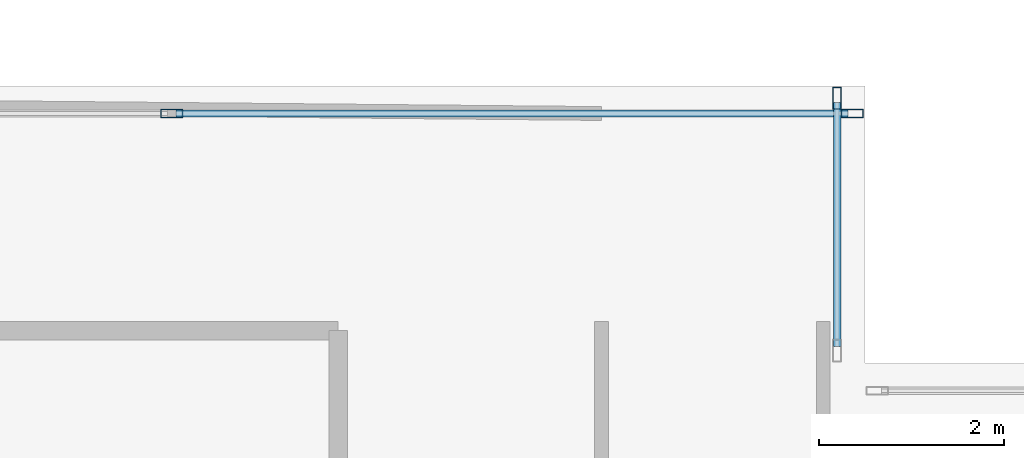
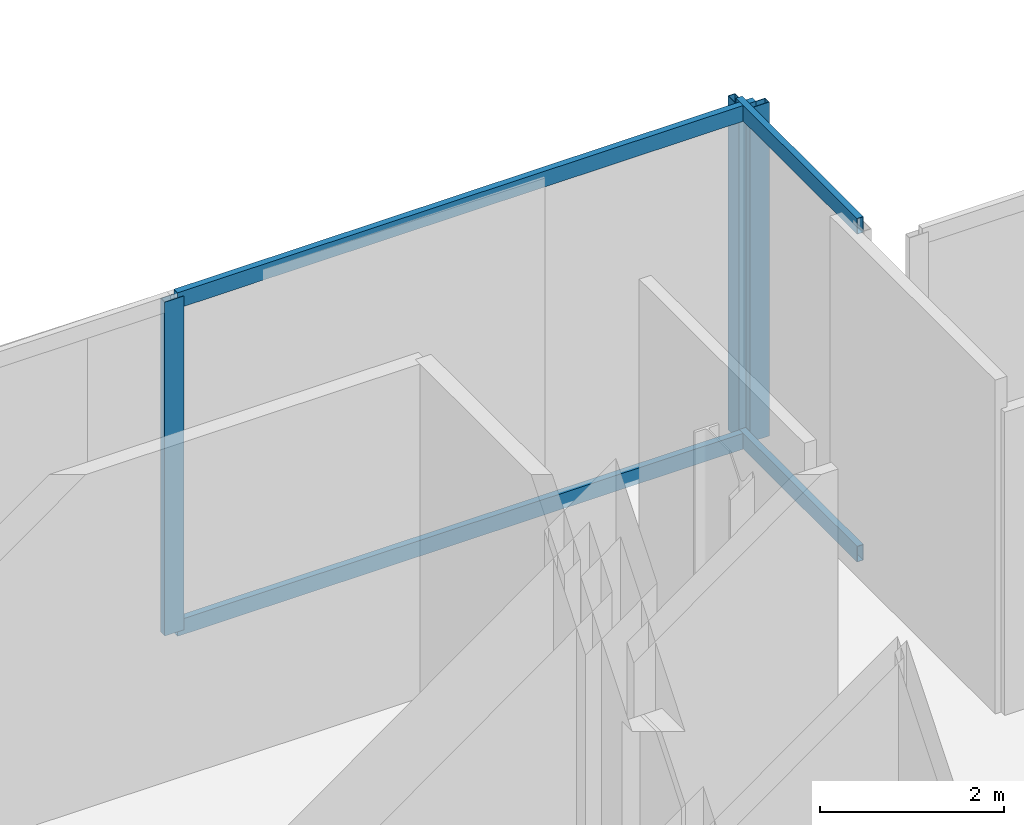
# One storey, part 10 of 19: 7 members, 2 elements without a shape of their own.
"""IFC4 building model written with IfcOpenShell, lengths in metres."""

from ifc_helpers import new_model, si_unit, direction, frame, origin, origin_2d, place, context, subcontext, project, spatial, hollow_rectangle, extrude, material, layer, layer_set, material_profile, profile_set, type_object, element, aggregate, save


model = new_model("IFC4")

# Units and contexts
model_context = context("Model", 3, precision=1e-05, world=origin(), true_north=direction((0.0, 1.0)))
body_context = subcontext(model_context, "Body", "Model", "MODEL_VIEW")
ifc_project = project(units=[si_unit("LENGTHUNIT", "METRE"), si_unit("AREAUNIT", "SQUARE_METRE"), si_unit("VOLUMEUNIT", "CUBIC_METRE"), si_unit("PLANEANGLEUNIT", "RADIAN"), si_unit("MASSUNIT", "GRAM", prefix="KILO"), si_unit("THERMODYNAMICTEMPERATUREUNIT", "KELVIN"), si_unit("POWERUNIT", "WATT")], contexts=[model_context])

# Site, building, storey
site_placement = place(None, origin())
site = spatial("IfcSite", under=ifc_project, at=site_placement, CompositionType="ELEMENT")
building_placement = place(site_placement, origin())
building = spatial("IfcBuilding", under=site, at=building_placement, Name="Svarakhadi Broadcast Tower", CompositionType="ELEMENT")
storey_placement = place(building_placement, frame((0.0, 0.0, 204.0)))
storey = spatial("IfcBuildingStorey", under=building, at=storey_placement, Name="L50", CompositionType="ELEMENT", Elevation=204.0)

# Curtain wall, members
ifc_material = material(Name="Anodised Bronze Aluminium AA 6063-T6", Category="aluminium")
ifc_layer = layer(ifc_material, 0.239990234375)
ifc_layer_set = layer_set([ifc_layer], Name="Anodised Bronze Aluminium AA 6063-T6")
curtain_wall_type = type_object("IfcCurtainWallType", Name="CW_Sys_06", PredefinedType="NOTDEFINED", material=ifc_layer_set)
curtain_wall_1_placement = place(storey_placement, origin())
curtain_wall_1 = element("IfcCurtainWall", 1, at=curtain_wall_1_placement, inside=storey, type_object=curtain_wall_type, Name="L50 Unitised Facade Curtain Wall 09", PredefinedType="NOTDEFINED")
ifc_material_profile_1 = material_profile(ifc_material, hollow_rectangle(XDim=0.090087890625, YDim=0.239990234375, WallThickness=0.006103515625, at=origin_2d()), Name="ALU MULLION 240x90x6")
ifc_profile_set_1 = profile_set([ifc_material_profile_1], Name="Anodised Bronze Aluminium AA 6063-T6")
member_type_1 = type_object("IfcMemberType", Name="CW_Sys_06_Mul", PredefinedType="MULLION", material=ifc_profile_set_1)
member_1_placement = place(storey_placement, frame((31.5, 23.699951171875, 0.0), z_axis=(0.0, 0.0, 1.0), x_axis=(0.0, 1.0, 0.0)))
member_1 = element("IfcMember", 2, at=member_1_placement, type_object=member_type_1, Name="CW-06 mullion 2", PredefinedType="MULLION", context=body_context, shape_type="SweptSolid", body=[
    extrude(hollow_rectangle(XDim=0.090087890625, YDim=0.239990234375, WallThickness=0.006103515625, at=origin_2d()), origin(), (0.0, 0.0, 1.0), 4.43994140625),
])
member_2_placement = place(storey_placement, frame((38.864990234375, 23.699951171875, 0.0), z_axis=(0.0, 0.0, 1.0), x_axis=(0.0, 1.0, 0.0)))
member_2 = element("IfcMember", 3, at=member_2_placement, type_object=member_type_1, Name="CW-06 mullion 3", PredefinedType="MULLION", context=body_context, shape_type="SweptSolid", body=[
    extrude(hollow_rectangle(XDim=0.090087890625, YDim=0.239990234375, WallThickness=0.006103515625, at=origin_2d()), origin(), (0.0, 0.0, 1.0), 4.43994140625),
])

# Curtain wall, member
curtain_wall_2_placement = place(storey_placement, origin())
curtain_wall_2 = element("IfcCurtainWall", 4, at=curtain_wall_2_placement, inside=storey, type_object=curtain_wall_type, Name="L50 Unitised Facade Curtain Wall 10", PredefinedType="NOTDEFINED")
member_3_placement = place(storey_placement, frame((38.699951171875, 23.864990234375, 0.0), z_axis=(0.0, 0.0, 1.0), x_axis=(1.0, 0.0, 0.0)))
member_3 = element("IfcMember", 5, at=member_3_placement, type_object=member_type_1, Name="CW-06 mullion 1", PredefinedType="MULLION", context=body_context, shape_type="SweptSolid", body=[
    extrude(hollow_rectangle(XDim=0.090087890625, YDim=0.239990234375, WallThickness=0.006103515625, at=origin_2d()), origin(), (0.0, 0.0, 1.0), 4.43994140625),
])

# Member
ifc_material_profile_2 = material_profile(ifc_material, hollow_rectangle(XDim=0.080078125, YDim=0.2099609375, WallThickness=0.0048828125, at=origin_2d()), Name="ALU TRANSOM 210x80x5")
ifc_profile_set_2 = profile_set([ifc_material_profile_2], Name="Anodised Bronze Aluminium AA 6063-T6")
member_type_2 = type_object("IfcMemberType", Name="CW_Sys_06_Trn", PredefinedType="USERDEFINED", material=ifc_profile_set_2)
member_4_placement = place(storey_placement, frame((31.544921875, 23.699951171875, 0.0400390625), z_axis=(1.0, 0.0, 0.0), x_axis=(0.0, 1.0, 0.0)))
member_4 = element("IfcMember", 6, at=member_4_placement, type_object=member_type_2, Name="CW-06 transom 2.1", ObjectType="TRANSOM", PredefinedType="USERDEFINED", context=body_context, shape_type="SweptSolid", body=[
    extrude(hollow_rectangle(XDim=0.080078125, YDim=0.2099609375, WallThickness=0.0048828125, at=origin_2d()), origin(), (0.0, 0.0, 1.0), 7.275146484375),
])

member_5_placement = place(storey_placement, frame((31.544921875, 23.699951171875, 4.39990234375), z_axis=(1.0, 0.0, 0.0), x_axis=(0.0, 1.0, 0.0)))
member_5 = element("IfcMember", 7, at=member_5_placement, type_object=member_type_2, Name="CW-06 transom 2.2", ObjectType="TRANSOM", PredefinedType="USERDEFINED", context=body_context, shape_type="SweptSolid", body=[
    extrude(hollow_rectangle(XDim=0.080078125, YDim=0.2099609375, WallThickness=0.0048828125, at=origin_2d()), origin(), (0.0, 0.0, 1.0), 7.275146484375),
])

aggregate(curtain_wall_1, [member_1, member_2, member_4, member_5])

member_6_placement = place(storey_placement, frame((38.699951171875, 23.820068359375, 0.0400390625), z_axis=(0.0, -1.0, 0.0), x_axis=(1.0, 0.0, 0.0)))
member_6 = element("IfcMember", 8, at=member_6_placement, type_object=member_type_2, Name="CW-06 transom 1.1", ObjectType="TRANSOM", PredefinedType="USERDEFINED", context=body_context, shape_type="SweptSolid", body=[
    extrude(hollow_rectangle(XDim=0.080078125, YDim=0.2099609375, WallThickness=0.0048828125, at=origin_2d()), origin(), (0.0, 0.0, 1.0), 2.64013671875),
])

member_7_placement = place(storey_placement, frame((38.699951171875, 23.820068359375, 4.39990234375), z_axis=(0.0, -1.0, 0.0), x_axis=(1.0, 0.0, 0.0)))
member_7 = element("IfcMember", 9, at=member_7_placement, type_object=member_type_2, Name="CW-06 transom 1.2", ObjectType="TRANSOM", PredefinedType="USERDEFINED", context=body_context, shape_type="SweptSolid", body=[
    extrude(hollow_rectangle(XDim=0.080078125, YDim=0.2099609375, WallThickness=0.0048828125, at=origin_2d()), origin(), (0.0, 0.0, 1.0), 2.64013671875),
])

aggregate(curtain_wall_2, [member_3, member_6, member_7])

save(model, "model.ifc")
